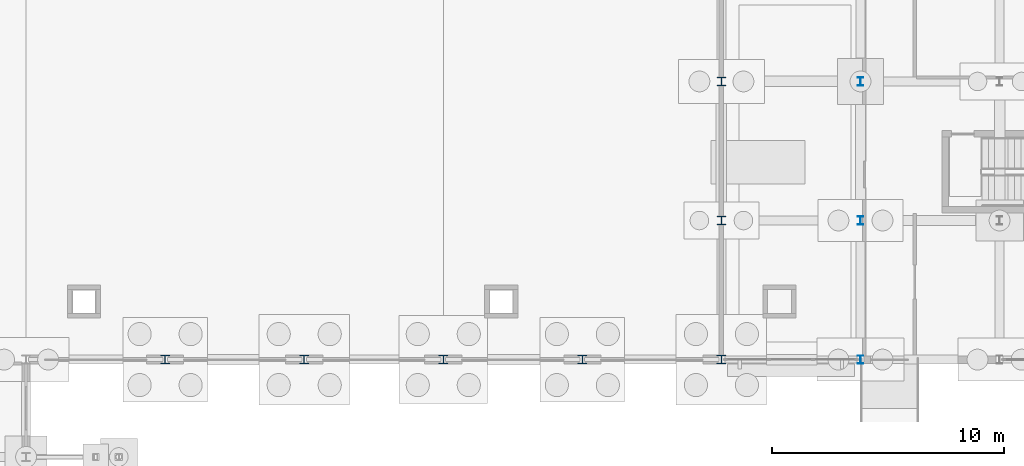
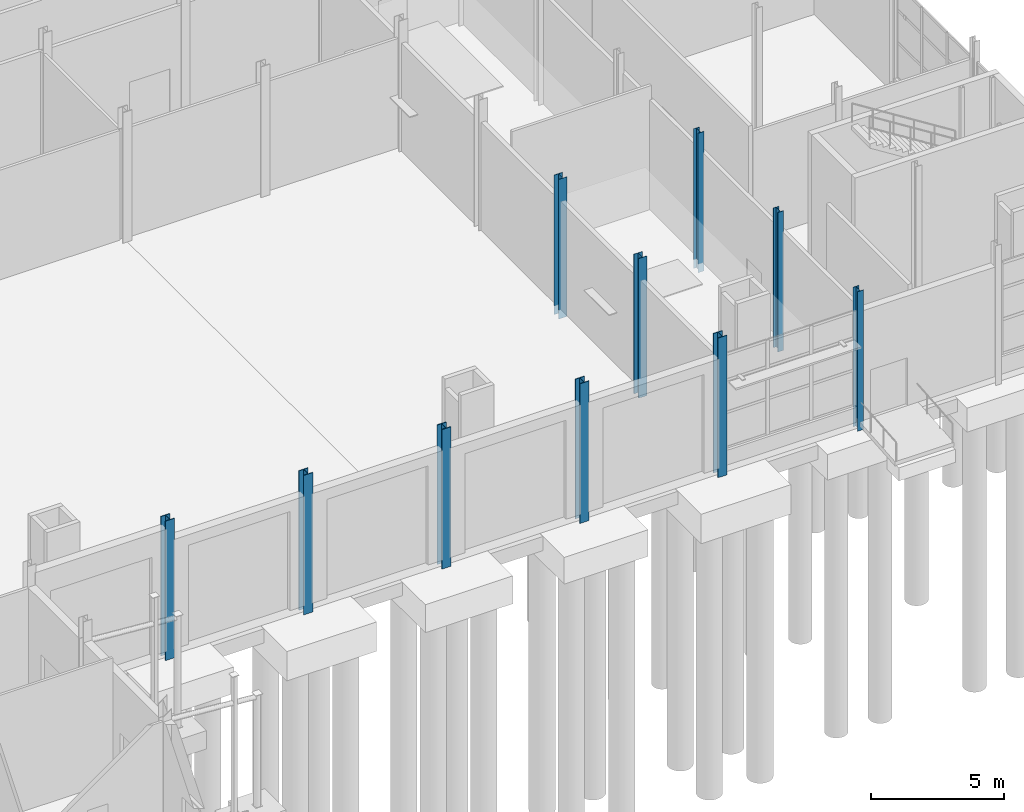
# One storey, part 16 of 120: 10 columns.
"""IFC4 building model written with IfcOpenShell, lengths in metres."""

from ifc_helpers import new_model, si_unit, direction, frame, origin, origin_2d, place, context, subcontext, project, spatial, i_section, extrude, material, material_profile, profile_set, type_object, element, save


model = new_model("IFC4")

# Units and contexts
model_context = context("Model", 3, precision=1e-05, world=origin(), true_north=direction((0.0, 1.0)))
body_context = subcontext(model_context, "Body", "Model", "MODEL_VIEW")
ifc_project = project(units=[si_unit("LENGTHUNIT", "METRE"), si_unit("AREAUNIT", "SQUARE_METRE"), si_unit("VOLUMEUNIT", "CUBIC_METRE"), si_unit("PLANEANGLEUNIT", "RADIAN"), si_unit("MASSUNIT", "GRAM", prefix="KILO")], contexts=[model_context])

# Site, building, storey
site_placement = place(None, origin())
site = spatial("IfcSite", under=ifc_project, at=site_placement, CompositionType="ELEMENT")
building_placement = place(site_placement, origin())
building = spatial("IfcBuilding", under=site, at=building_placement, Name="Siltcreek Boulevard Central Fire Station", CompositionType="ELEMENT")
storey_placement = place(building_placement, origin())
storey = spatial("IfcBuildingStorey", under=building, at=storey_placement, Name="L01", CompositionType="ELEMENT", Elevation=0.0)

# Columns
ifc_material = material(Name="Structural steel ASTM A992 Gr50", Category="steel")
ifc_material_profile_1 = material_profile(ifc_material, i_section(OverallWidth=0.368896484375, OverallDepth=0.35595703125, WebThickness=0.01123046875, FlangeThickness=0.01806640625, at=origin_2d()), Name="W360X134")
ifc_profile_set_1 = profile_set([ifc_material_profile_1], Name="Structural steel ASTM A992 Gr50")
column_type_1 = type_object("IfcColumnType", Name="COL_W360X134", PredefinedType="COLUMN", material=ifc_profile_set_1)
for number, where, z_axis, x_axis, name in (
    (1, (90.0, 24.0, -0.409912109375), (0.0, 0.0, 1.0), (1.0, 0.0, 0.0), "L01 structural column COLG-L01-900-240"),
    (2, (90.0, 30.0, -0.409912109375), (0.0, 0.0, 1.0), (1.0, 0.0, 0.0), "L01 structural column COLG-L01-900-300"),
):
    element("IfcColumn", number, at=place(storey_placement, frame(where, z_axis=z_axis, x_axis=x_axis)), inside=storey, type_object=column_type_1, Name=name, PredefinedType="COLUMN", context=body_context, shape_type="SweptSolid", body=[
        extrude(i_section(OverallWidth=0.368896484375, OverallDepth=0.35595703125, WebThickness=0.01123046875, FlangeThickness=0.01806640625, at=origin_2d()), origin(), (0.0, 0.0, 1.0), 6.409912109375),
    ])
ifc_material_profile_2 = material_profile(ifc_material, i_section(OverallWidth=0.39501953125, OverallDepth=0.3798828125, WebThickness=0.018798828125, FlangeThickness=0.0302734375, at=origin_2d()), Name="W360X237")
ifc_profile_set_2 = profile_set([ifc_material_profile_2], Name="Structural steel ASTM A992 Gr50")
column_type_2 = type_object("IfcColumnType", Name="COL_W360X237", PredefinedType="COLUMN", material=ifc_profile_set_2)
for number, where, z_axis, x_axis, name in (
    (3, (66.0, 18.0, -0.409912109375), (0.0, 0.0, 1.0), (1.0, 0.0, 0.0), "L01 structural column COLG-L01-660-180"),
    (4, (72.0, 18.0, -0.409912109375), (0.0, 0.0, 1.0), (1.0, 0.0, 0.0), "L01 structural column COLG-L01-720-180"),
    (5, (78.0, 18.0, -0.409912109375), (0.0, 0.0, 1.0), (1.0, 0.0, 0.0), "L01 structural column COLG-L01-780-180"),
    (6, (84.0, 18.0, -0.409912109375), (0.0, 0.0, 1.0), (1.0, 0.0, 0.0), "L01 structural column COLG-L01-840-180"),
    (7, (90.0, 18.0, -0.409912109375), (0.0, 0.0, 1.0), (1.0, 0.0, 0.0), "L01 structural column COLG-L01-900-180"),
):
    element("IfcColumn", number, at=place(storey_placement, frame(where, z_axis=z_axis, x_axis=x_axis)), inside=storey, type_object=column_type_2, Name=name, PredefinedType="COLUMN", context=body_context, shape_type="SweptSolid", body=[
        extrude(i_section(OverallWidth=0.39501953125, OverallDepth=0.3798828125, WebThickness=0.018798828125, FlangeThickness=0.0302734375, at=origin_2d()), origin(), (0.0, 0.0, 1.0), 6.409912109375),
    ])
ifc_material_profile_3 = material_profile(ifc_material, i_section(OverallWidth=0.25390625, OverallDepth=0.35302734375, WebThickness=0.009521484375, FlangeThickness=0.016357421875, at=origin_2d()), Name="W360X91")
ifc_profile_set_3 = profile_set([ifc_material_profile_3], Name="Structural steel ASTM A992 Gr50")
column_type_3 = type_object("IfcColumnType", Name="COL_W360X91", PredefinedType="COLUMN", material=ifc_profile_set_3)
for number, where, z_axis, x_axis, name in (
    (8, (96.0, 18.0, -0.409912109375), (0.0, 0.0, 1.0), (1.0, 0.0, 0.0), "L01 structural column COLG-L01-960-180"),
    (9, (96.0, 24.0, -0.409912109375), (0.0, 0.0, 1.0), (1.0, 0.0, 0.0), "L01 structural column COLG-L01-960-240"),
    (10, (96.0, 30.0, -0.409912109375), (0.0, 0.0, 1.0), (1.0, 0.0, 0.0), "L01 structural column COLG-L01-960-300"),
):
    element("IfcColumn", number, at=place(storey_placement, frame(where, z_axis=z_axis, x_axis=x_axis)), inside=storey, type_object=column_type_3, Name=name, PredefinedType="COLUMN", context=body_context, shape_type="SweptSolid", body=[
        extrude(i_section(OverallWidth=0.25390625, OverallDepth=0.35302734375, WebThickness=0.009521484375, FlangeThickness=0.016357421875, at=origin_2d()), origin(), (0.0, 0.0, 1.0), 6.409912109375),
    ])

save(model, "model.ifc")
